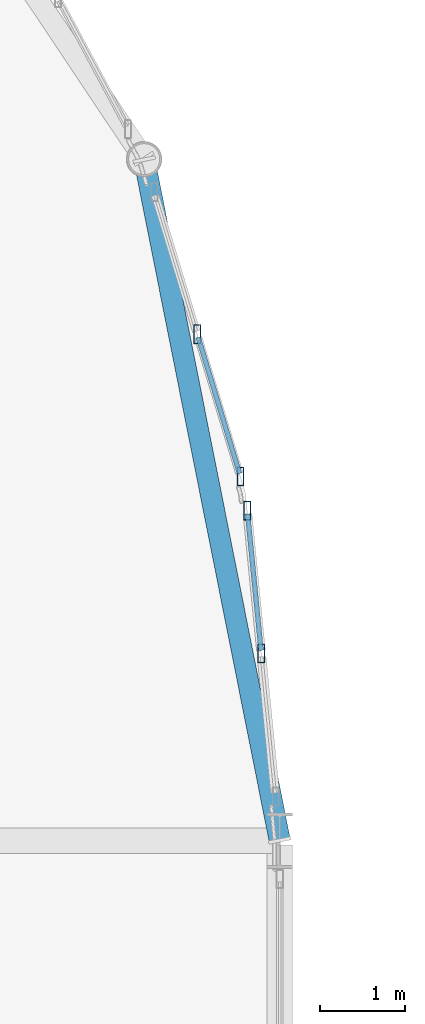
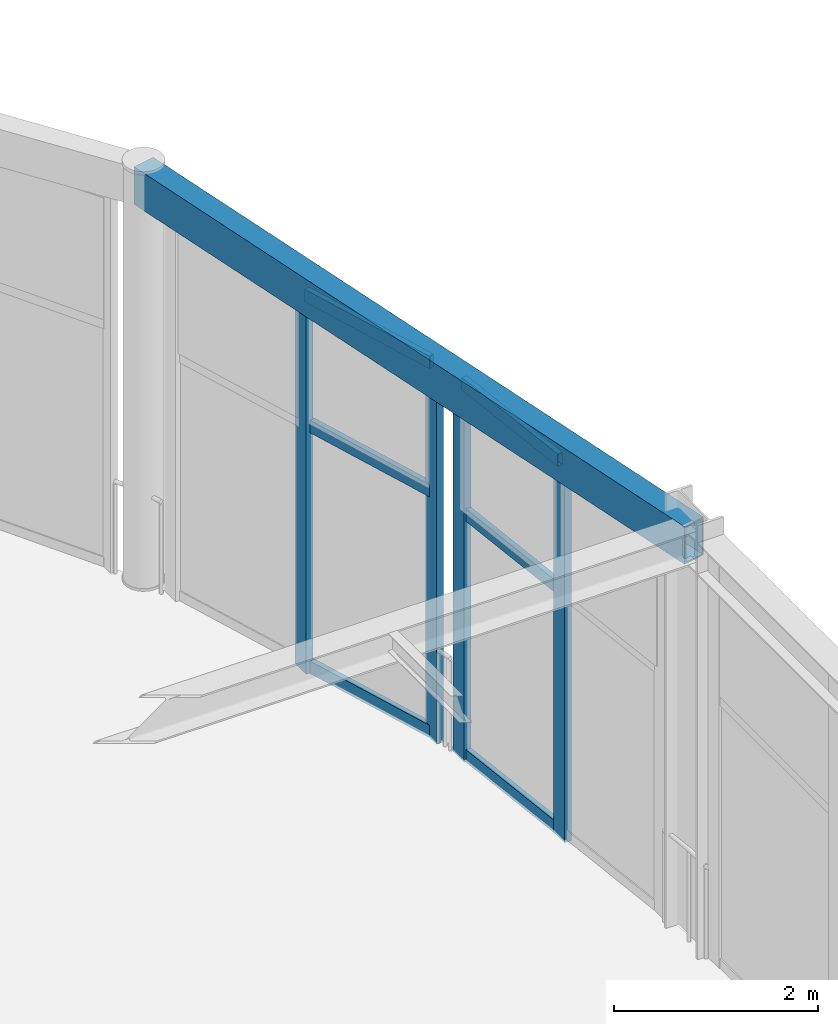
# One storey, part 86 of 195: 10 members, 1 beam, 2 elements without a shape of their own.
"""IFC4 building model written with IfcOpenShell, lengths in metres."""

from ifc_helpers import new_model, si_unit, direction, frame, origin, origin_2d, place, context, subcontext, project, spatial, hollow_rectangle, extrude, material, layer, layer_set, material_profile, profile_set, type_object, element, aggregate, save


model = new_model("IFC4")

# Units and contexts
model_context = context("Model", 3, precision=1e-05, world=origin(), true_north=direction((0.0, 1.0)))
body_context = subcontext(model_context, "Body", "Model", "MODEL_VIEW")
ifc_project = project(units=[si_unit("LENGTHUNIT", "METRE"), si_unit("AREAUNIT", "SQUARE_METRE"), si_unit("VOLUMEUNIT", "CUBIC_METRE"), si_unit("PLANEANGLEUNIT", "RADIAN"), si_unit("MASSUNIT", "GRAM", prefix="KILO")], contexts=[model_context])

# Site, building, storey
site_placement = place(None, origin())
site = spatial("IfcSite", under=ifc_project, at=site_placement, CompositionType="ELEMENT")
building_placement = place(site_placement, origin())
building = spatial("IfcBuilding", under=site, at=building_placement, Name="Marlcrest Central Station", CompositionType="ELEMENT")
storey_placement = place(building_placement, frame((0.0, 0.0, 9.800048828125)))
storey = spatial("IfcBuildingStorey", under=building, at=storey_placement, Name="L02", CompositionType="ELEMENT", Elevation=9.800048828125)

# Curtain wall, members
ifc_material_1 = material(Name="Anodised aluminium and hurricane laminated glass", Category="aluminium")
ifc_layer = layer(ifc_material_1, 0.219970703125, Name="CW-U1")
ifc_layer_set = layer_set([ifc_layer], Name="Anodised aluminium and hurricane laminated glass")
curtain_wall_type = type_object("IfcCurtainWallType", Name="CW-U1", PredefinedType="USERDEFINED", material=ifc_layer_set)
curtain_wall_1_placement = place(storey_placement, origin())
curtain_wall_1 = element("IfcCurtainWall", 1, at=curtain_wall_1_placement, inside=storey, type_object=curtain_wall_type, Name="cw-L02-0081", ObjectType="UNITISED_CURTAIN_WALL", PredefinedType="USERDEFINED")
ifc_material_2 = material(Name="Anodised aluminium 6063-T6", Category="aluminium")
ifc_material_profile_1 = material_profile(ifc_material_2, hollow_rectangle(XDim=0.080078125, YDim=0.219970703125, WallThickness=0.006103515625, at=origin_2d()), Name="AA-RHS 220x80x6")
ifc_profile_set_1 = profile_set([ifc_material_profile_1], Name="Anodised aluminium 6063-T6")
member_type_1 = type_object("IfcMemberType", Name="ML-01", PredefinedType="MULLION", material=ifc_profile_set_1)
member_1_placement = place(storey_placement, frame((128.02734375, 116.4716796875, -0.030029296875), z_axis=(0.0, 0.0, 1.0), x_axis=(1.0, 0.0, 0.0)))
member_1 = element("IfcMember", 2, at=member_1_placement, type_object=member_type_1, Name="cw-L02-0081-ml-1", PredefinedType="MULLION", context=body_context, shape_type="SweptSolid", body=[
    extrude(hollow_rectangle(XDim=0.080078125, YDim=0.219970703125, WallThickness=0.006103515625, at=origin_2d()), origin(), (0.0, 0.0, 1.0), 4.56005859375),
])
member_2_placement = place(storey_placement, frame((128.5361328125, 114.7939453125, -0.030029296875), z_axis=(0.0, 0.0, 1.0), x_axis=(1.0, 0.0, 0.0)))
member_2 = element("IfcMember", 3, at=member_2_placement, type_object=member_type_1, Name="cw-L02-0081-ml-2", PredefinedType="MULLION", context=body_context, shape_type="SweptSolid", body=[
    extrude(hollow_rectangle(XDim=0.080078125, YDim=0.219970703125, WallThickness=0.006103515625, at=origin_2d()), origin(), (0.0, 0.0, 1.0), 4.56005859375),
])

curtain_wall_2_placement = place(storey_placement, origin())
curtain_wall_2 = element("IfcCurtainWall", 4, at=curtain_wall_2_placement, inside=storey, type_object=curtain_wall_type, Name="cw-L02-0082", ObjectType="UNITISED_CURTAIN_WALL", PredefinedType="USERDEFINED")
member_3_placement = place(storey_placement, frame((128.6162109375, 114.39208984375, -0.030029296875), z_axis=(0.0, 0.0, 1.0), x_axis=(1.0, 0.0, 0.0)))
member_3 = element("IfcMember", 5, at=member_3_placement, type_object=member_type_1, Name="cw-L02-0082-ml-0", PredefinedType="MULLION", context=body_context, shape_type="SweptSolid", body=[
    extrude(hollow_rectangle(XDim=0.080078125, YDim=0.219970703125, WallThickness=0.006103515625, at=origin_2d()), origin(), (0.0, 0.0, 1.0), 4.56005859375),
])
member_4_placement = place(storey_placement, frame((128.7822265625, 112.707763671875, -0.030029296875), z_axis=(0.0, 0.0, 1.0), x_axis=(1.0, 0.0, 0.0)))
member_4 = element("IfcMember", 6, at=member_4_placement, type_object=member_type_1, Name="cw-L02-0082-ml-1", PredefinedType="MULLION", context=body_context, shape_type="SweptSolid", body=[
    extrude(hollow_rectangle(XDim=0.080078125, YDim=0.219970703125, WallThickness=0.006103515625, at=origin_2d()), origin(), (0.0, 0.0, 1.0), 4.56005859375),
])

# Beam
ifc_material_3 = material(Name="Steel S355", Category="steel")
ifc_material_profile_2 = material_profile(ifc_material_3, hollow_rectangle(XDim=0.25, YDim=0.449951171875, WallThickness=0.01611328125, at=origin_2d()), Name="RHS 450x250x16")
ifc_profile_set_2 = profile_set([ifc_material_profile_2], Name="Steel S355")
beam_type = type_object("IfcBeamType", Name="SP-02", PredefinedType="SPANDREL", material=ifc_profile_set_2)
beam_placement = place(storey_placement, frame((127.40087890625, 118.535888671875, 4.77001953125), z_axis=(0.19517056122, -0.980769316421, 0.0), x_axis=(0.980769316421, 0.19517056122, 0.0)))
element("IfcBeam", 7, at=beam_placement, inside=storey, type_object=beam_type, Name="bm-SP-02-L02-01484", PredefinedType="SPANDREL", context=body_context, shape_type="SweptSolid", body=[
    extrude(hollow_rectangle(XDim=0.25, YDim=0.449951171875, WallThickness=0.01611328125, at=origin_2d()), origin(), (0.0, 0.0, 1.0), 8.193359375),
])

# Member
ifc_material_profile_3 = material_profile(ifc_material_2, hollow_rectangle(XDim=0.06005859375, YDim=0.14990234375, WallThickness=0.00390625, at=origin_2d()), Name="AA-RHS 150x60x4")
ifc_profile_set_3 = profile_set([ifc_material_profile_3], Name="Anodised aluminium 6063-T6")
member_type_2 = type_object("IfcMemberType", Name="TR-01", PredefinedType="USERDEFINED", material=ifc_profile_set_3)
member_5_placement = place(storey_placement, frame((128.038330078125, 116.435302734375, 0.0400390625), z_axis=(0.29025787087, -0.95694846695, 0.0), x_axis=(0.95694846695, 0.29025787087, 0.0)))
member_5 = element("IfcMember", 8, at=member_5_placement, type_object=member_type_2, Name="cw-L02-0081-tr-1-sill", ObjectType="TRANSOM", PredefinedType="USERDEFINED", context=body_context, shape_type="SweptSolid", body=[
    extrude(hollow_rectangle(XDim=0.06005859375, YDim=0.14990234375, WallThickness=0.00390625, at=origin_2d()), origin(), (0.0, 0.0, 1.0), 1.67724609375),
])

member_6_placement = place(storey_placement, frame((128.038330078125, 116.435302734375, 2.925048828125), z_axis=(0.29025787087, -0.95694846695, 0.0), x_axis=(0.95694846695, 0.29025787087, 0.0)))
member_6 = element("IfcMember", 9, at=member_6_placement, type_object=member_type_2, Name="cw-L02-0081-tr-1-mid", ObjectType="TRANSOM", PredefinedType="USERDEFINED", context=body_context, shape_type="SweptSolid", body=[
    extrude(hollow_rectangle(XDim=0.06005859375, YDim=0.14990234375, WallThickness=0.00390625, at=origin_2d()), origin(), (0.0, 0.0, 1.0), 1.67724609375),
])

member_7_placement = place(storey_placement, frame((128.038330078125, 116.435302734375, 4.4599609375), z_axis=(0.29025787087, -0.95694846695, 0.0), x_axis=(0.95694846695, 0.29025787087, 0.0)))
member_7 = element("IfcMember", 10, at=member_7_placement, type_object=member_type_2, Name="cw-L02-0081-tr-1-head", ObjectType="TRANSOM", PredefinedType="USERDEFINED", context=body_context, shape_type="SweptSolid", body=[
    extrude(hollow_rectangle(XDim=0.06005859375, YDim=0.14990234375, WallThickness=0.00390625, at=origin_2d()), origin(), (0.0, 0.0, 1.0), 1.67724609375),
])

aggregate(curtain_wall_1, [member_1, member_2, member_5, member_6, member_7])

member_8_placement = place(storey_placement, frame((128.619873046875, 114.354248046875, 0.0400390625), z_axis=(0.098172727839, -0.99516939036, 0.0), x_axis=(0.99516939036, 0.098172727839, 0.0)))
member_8 = element("IfcMember", 11, at=member_8_placement, type_object=member_type_2, Name="cw-L02-0082-tr-0-sill", ObjectType="TRANSOM", PredefinedType="USERDEFINED", context=body_context, shape_type="SweptSolid", body=[
    extrude(hollow_rectangle(XDim=0.06005859375, YDim=0.14990234375, WallThickness=0.00390625, at=origin_2d()), origin(), (0.0, 0.0, 1.0), 1.616455078125),
])

member_9_placement = place(storey_placement, frame((128.619873046875, 114.354248046875, 2.925048828125), z_axis=(0.098172727839, -0.99516939036, 0.0), x_axis=(0.99516939036, 0.098172727839, 0.0)))
member_9 = element("IfcMember", 12, at=member_9_placement, type_object=member_type_2, Name="cw-L02-0082-tr-0-mid", ObjectType="TRANSOM", PredefinedType="USERDEFINED", context=body_context, shape_type="SweptSolid", body=[
    extrude(hollow_rectangle(XDim=0.06005859375, YDim=0.14990234375, WallThickness=0.00390625, at=origin_2d()), origin(), (0.0, 0.0, 1.0), 1.616455078125),
])

member_10_placement = place(storey_placement, frame((128.619873046875, 114.354248046875, 4.4599609375), z_axis=(0.098172727839, -0.99516939036, 0.0), x_axis=(0.99516939036, 0.098172727839, 0.0)))
member_10 = element("IfcMember", 13, at=member_10_placement, type_object=member_type_2, Name="cw-L02-0082-tr-0-head", ObjectType="TRANSOM", PredefinedType="USERDEFINED", context=body_context, shape_type="SweptSolid", body=[
    extrude(hollow_rectangle(XDim=0.06005859375, YDim=0.14990234375, WallThickness=0.00390625, at=origin_2d()), origin(), (0.0, 0.0, 1.0), 1.616455078125),
])

aggregate(curtain_wall_2, [member_3, member_4, member_8, member_9, member_10])

save(model, "model.ifc")
